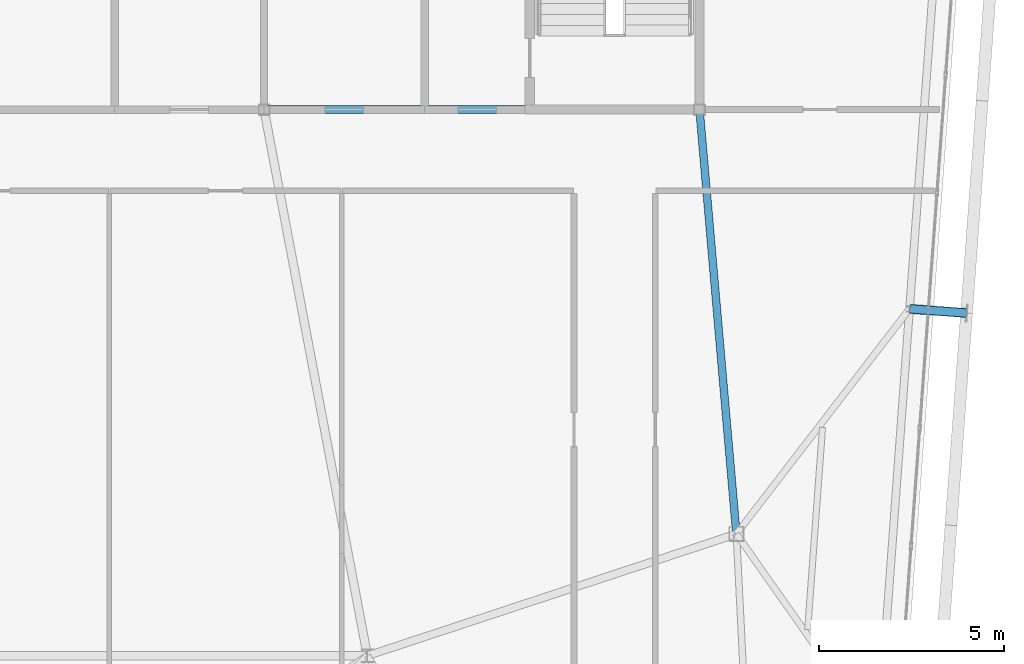
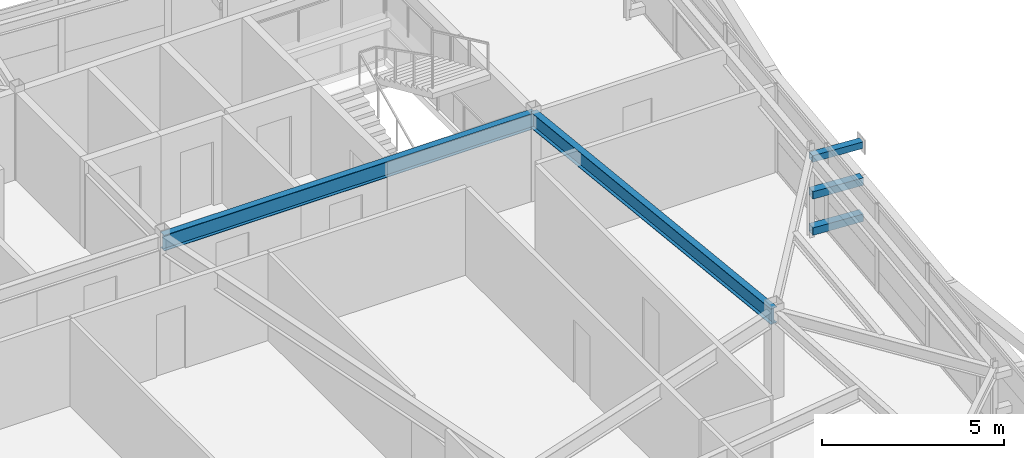
# One storey, part 22 of 42: 3 members, 2 beams.
"""IFC4 building model written with IfcOpenShell, lengths in metres."""

from ifc_helpers import new_model, si_unit, direction, frame, origin, origin_2d, place, context, subcontext, project, spatial, hollow_rectangle, i_section, extrude, source, transform, mapped, material, material_profile, profile_set, type_object, element, save


model = new_model("IFC4")

# Units and contexts
model_context = context("Model", 3, precision=1e-05, world=origin(), true_north=direction((0.0, 1.0)))
body_context = subcontext(model_context, "Body", "Model", "MODEL_VIEW")
ifc_project = project(units=[si_unit("LENGTHUNIT", "METRE"), si_unit("AREAUNIT", "SQUARE_METRE"), si_unit("VOLUMEUNIT", "CUBIC_METRE"), si_unit("PLANEANGLEUNIT", "RADIAN"), si_unit("MASSUNIT", "GRAM", prefix="KILO")], contexts=[model_context])

# Site, building, storey
site_placement = place(None, origin())
site = spatial("IfcSite", under=ifc_project, at=site_placement, CompositionType="ELEMENT")
building_placement = place(site_placement, origin())
building = spatial("IfcBuilding", under=site, at=building_placement, Name="Taldren Reach Tower", CompositionType="ELEMENT")
storey_placement = place(building_placement, frame((0.0, 0.0, 220.85009765625)))
storey = spatial("IfcBuildingStorey", under=building, at=storey_placement, Name="L67", CompositionType="ELEMENT", Elevation=220.85009765625)

# Beams
ifc_material_1 = material(Name="Steel Gr 350 (350PLUS)", Category="steel")
ifc_material_profile_1 = material_profile(ifc_material_1, i_section(OverallWidth=0.208984375, OverallDepth=0.532958984375, WebThickness=0.01025390625, FlangeThickness=0.015625, at=origin_2d()), Name="530UB92.4")
ifc_profile_set_1 = profile_set([ifc_material_profile_1], Name="Steel Gr 350 (350PLUS)")
beam_type = type_object("IfcBeamType", Name="BM-UB530A", PredefinedType="BEAM", material=ifc_profile_set_1)
shared_shape_1 = source(origin(), body_context, "Body", "SweptSolid", [
    extrude(i_section(OverallWidth=0.208984375, OverallDepth=0.532958984375, WebThickness=0.01025390625, FlangeThickness=0.015625, at=origin_2d()), origin(), (0.0, 0.0, 1.0), 11.800048828125),
])
beam_1_placement = place(storey_placement, frame((39.199951171875, 24.0, 2.663330078125), z_axis=(1.0, 0.0, 0.0), x_axis=(0.0, 1.0, 0.0)))
element("IfcBeam", 1, at=beam_1_placement, inside=storey, type_object=beam_type, Name="Core-spine girder L67-SP03", PredefinedType="BEAM", context=body_context, shape_type="MappedRepresentation", body=[
    mapped(shared_shape_1, transform((0.0, 0.0, 0.0), scale=1.0)),
])
shared_shape_2 = source(origin(), body_context, "Body", "SweptSolid", [
    extrude(i_section(OverallWidth=0.208984375, OverallDepth=0.532958984375, WebThickness=0.01025390625, FlangeThickness=0.015625, at=origin_2d()), origin(), (0.0, 0.0, 1.0), 11.54345703125),
])
beam_2_placement = place(storey_placement, frame((52.0, 12.5, 2.663330078125), z_axis=(-0.086629616365, 0.996240588196, 0.0), x_axis=(-0.996240588196, -0.086629616365, 0.0)))
element("IfcBeam", 2, at=beam_2_placement, inside=storey, type_object=beam_type, Name="Core-spine girder L67-SP13", PredefinedType="BEAM", context=body_context, shape_type="MappedRepresentation", body=[
    mapped(shared_shape_2, transform((0.0, 0.0, 0.0), scale=1.0)),
])

# Members
ifc_material_2 = material(Name="Steel Gr 450 (C450L0)", Category="steel")
ifc_material_profile_2 = material_profile(ifc_material_2, hollow_rectangle(XDim=0.219970703125, YDim=0.219970703125, WallThickness=0.00830078125, at=origin_2d()), Name="220x220x8.2SHS")
ifc_profile_set_2 = profile_set([ifc_material_profile_2], Name="Steel Gr 450 (C450L0)")
member_type_1 = type_object("IfcMemberType", Name="MB-TIE219", PredefinedType="STRUT", material=ifc_profile_set_2)
shared_shape_3 = source(origin(), body_context, "Body", "SweptSolid", [
    extrude(hollow_rectangle(XDim=0.219970703125, YDim=0.219970703125, WallThickness=0.00830078125, at=origin_2d()), origin(), (0.0, 0.0, 1.0), 1.5458984375),
])
member_placement = place(storey_placement, frame((56.6953125, 18.599365234375, 2.64990234375), z_axis=(0.99732305975, -0.073121231459, 0.0), x_axis=(0.073121231459, 0.99732305975, 0.0)))
element("IfcMember", 3, at=member_placement, inside=storey, type_object=member_type_1, Name="Exoskeleton diaphragm tie strut B5-E2 L67", PredefinedType="STRUT", context=body_context, shape_type="MappedRepresentation", body=[
    mapped(shared_shape_3, transform((0.0, 0.0, 0.0), scale=1.0)),
])
ifc_material_3 = material(Name="Steel Gr 350 (C350L0)", Category="steel")
ifc_material_profile_3 = material_profile(ifc_material_3, hollow_rectangle(XDim=0.25, YDim=0.25, WallThickness=0.010009765625, at=origin_2d()), Name="250x250x10.0SHS")
ifc_profile_set_3 = profile_set([ifc_material_profile_3], Name="Steel Gr 350 (C350L0)")
member_type_2 = type_object("IfcMemberType", Name="MB-POST250", PredefinedType="POST", material=ifc_profile_set_3)
shared_shape_4 = source(origin(), body_context, "Body", "SweptSolid", [
    extrude(hollow_rectangle(XDim=0.25, YDim=0.25, WallThickness=0.010009765625, at=origin_2d()), origin(), (0.0, 0.0, 1.0), 1.5458984375),
])
for number, where, z_axis, x_axis, name in (
    (4, (56.6953125, 18.599365234375, 0.219970703125), (0.99732305975, -0.073121231459, 0.0), (0.073121231459, 0.99732305975, 0.0), "Exoskeleton base diaphragm tie strut B5-E2 L67"),
    (5, (56.6953125, 18.599365234375, 1.434814453125), (0.99732305975, -0.073121231459, 0.0), (0.073121231459, 0.99732305975, 0.0), "Exoskeleton mid-tier diaphragm tie B5-E2 L67"),
):
    element("IfcMember", number, at=place(storey_placement, frame(where, z_axis=z_axis, x_axis=x_axis)), inside=storey, type_object=member_type_2, Name=name, PredefinedType="POST", context=body_context, shape_type="MappedRepresentation", body=[
        mapped(shared_shape_4, transform((0.0, 0.0, 0.0), scale=1.0)),
    ])

save(model, "model.ifc")
